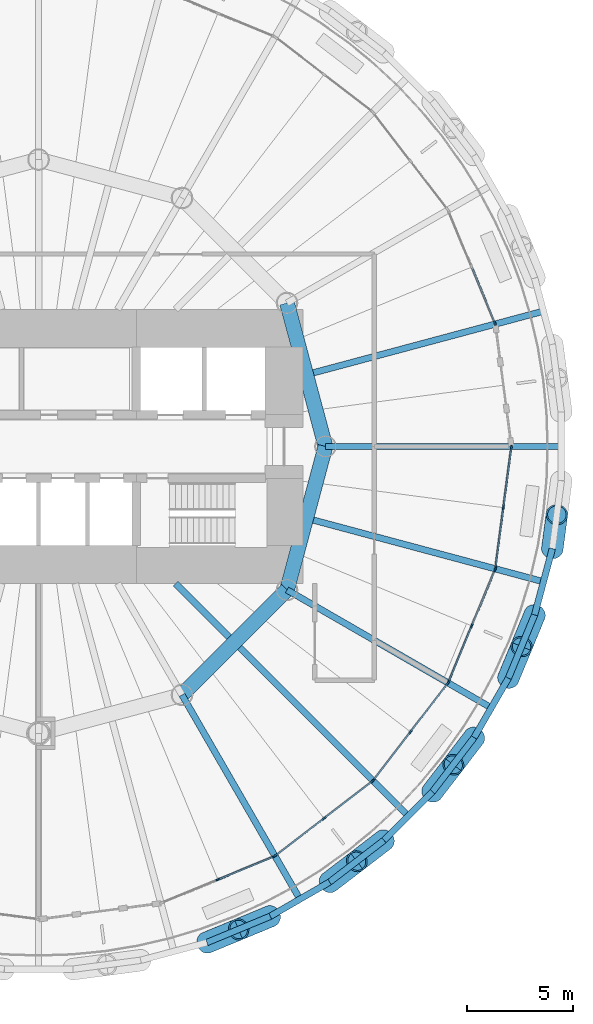
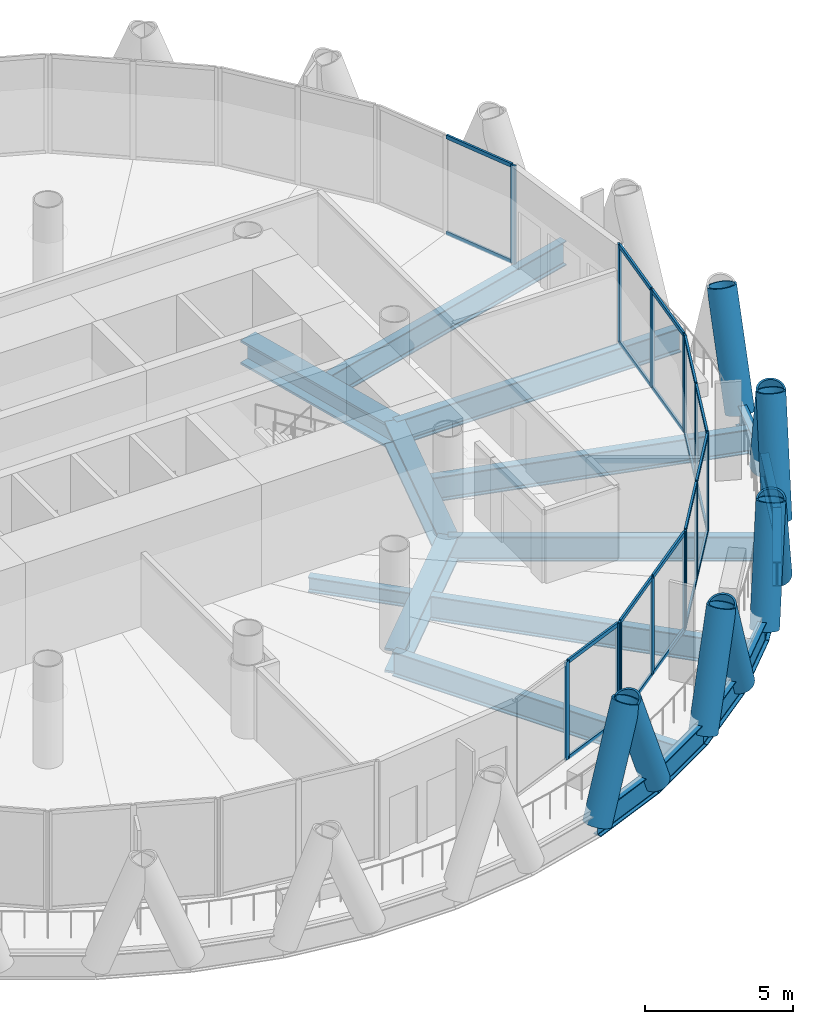
# One storey, part 4 of 15: 44 members, 18 beams, 6 elements without a shape of their own.
"""IFC4 building model written with IfcOpenShell, lengths in metres."""

from ifc_helpers import new_model, si_unit, direction, frame, origin, origin_2d, place, context, subcontext, project, spatial, rectangle, hollow_circle, i_section, extrude, material, material_profile, profile_set, type_object, element, aggregate, save


model = new_model("IFC4")

# Units and contexts
model_context = context("Model", 3, precision=1e-05, world=origin(), true_north=direction((0.0, 1.0)))
body_context = subcontext(model_context, "Body", "Model", "MODEL_VIEW")
ifc_project = project(units=[si_unit("LENGTHUNIT", "METRE"), si_unit("AREAUNIT", "SQUARE_METRE"), si_unit("VOLUMEUNIT", "CUBIC_METRE"), si_unit("PLANEANGLEUNIT", "RADIAN"), si_unit("MASSUNIT", "GRAM", prefix="KILO")], contexts=[model_context])

# Site, building, storey
site_placement = place(None, origin())
site = spatial("IfcSite", under=ifc_project, at=site_placement, CompositionType="ELEMENT")
building_placement = place(site_placement, origin())
building = spatial("IfcBuilding", under=site, at=building_placement, Name="Qaws Media Tower", CompositionType="ELEMENT")
storey_placement = place(building_placement, frame((0.0, 0.0, 164.60009765625)))
storey = spatial("IfcBuildingStorey", under=building, at=storey_placement, Name="L37", CompositionType="ELEMENT", Elevation=164.60009765625)

# Curtain wall, member
ifc_material_1 = material(Name="Aluminium and clear glass", Category="aluminium")
curtain_wall_type = type_object("IfcCurtainWallType", Name="Unitised curtain wall CW-B", PredefinedType="NOTDEFINED", material=ifc_material_1)
curtain_wall_1_placement = place(storey_placement, origin())
curtain_wall_1 = element("IfcCurtainWall", 1, at=curtain_wall_1_placement, inside=storey, type_object=curtain_wall_type, Name="CWB curtain wall L37-02", PredefinedType="NOTDEFINED")
ifc_material_2 = material(Name="Aluminium mullion", Category="aluminium")
ifc_material_profile_1 = material_profile(ifc_material_2, rectangle(XDim=0.080078125, YDim=0.199951171875, at=origin_2d()), Name="80x200")
ifc_profile_set_1 = profile_set([ifc_material_profile_1], Name="Aluminium mullion")
member_type_1 = type_object("IfcMemberType", Name="Curtain wall mullion 80x200", PredefinedType="MULLION", material=ifc_profile_set_1)
member_1_placement = place(storey_placement, frame((81.4765625, 55.795654296875, 0.0), z_axis=(0.0, 0.0, 1.0), x_axis=(-0.923879489819, -0.382683535434, 0.0)))
member_1 = element("IfcMember", 2, at=member_1_placement, type_object=member_type_1, Name="CWB mullion 1", PredefinedType="MULLION", context=body_context, shape_type="SweptSolid", body=[
    extrude(rectangle(XDim=0.080078125, YDim=0.199951171875, at=origin_2d()), origin(), (0.0, 0.0, 1.0), 4.039794921875),
])

# Curtain wall, members
curtain_wall_2_placement = place(storey_placement, origin())
curtain_wall_2 = element("IfcCurtainWall", 3, at=curtain_wall_2_placement, inside=storey, type_object=curtain_wall_type, Name="CWB curtain wall L37-20", PredefinedType="NOTDEFINED")
member_2_placement = place(storey_placement, frame((68.44189453125, 29.61962890625, 0.0), z_axis=(0.0, 0.0, 1.0), x_axis=(-0.382683535434, 0.923879489819, 0.0)))
member_2 = element("IfcMember", 4, at=member_2_placement, type_object=member_type_1, Name="CWB mullion 2", PredefinedType="MULLION", context=body_context, shape_type="SweptSolid", body=[
    extrude(rectangle(XDim=0.080078125, YDim=0.199951171875, at=origin_2d()), origin(), (0.0, 0.0, 1.0), 4.039794921875),
])
member_3_placement = place(storey_placement, frame((71.088134765625, 30.715576171875, 0.0), z_axis=(0.0, 0.0, 1.0), x_axis=(-0.382683535434, 0.923879489819, 0.0)))
member_3 = element("IfcMember", 5, at=member_3_placement, type_object=member_type_1, Name="CWB mullion 3", PredefinedType="MULLION", context=body_context, shape_type="SweptSolid", body=[
    extrude(rectangle(XDim=0.080078125, YDim=0.199951171875, at=origin_2d()), origin(), (0.0, 0.0, 1.0), 4.039794921875),
])

curtain_wall_3_placement = place(storey_placement, origin())
curtain_wall_3 = element("IfcCurtainWall", 6, at=curtain_wall_3_placement, inside=storey, type_object=curtain_wall_type, Name="CWB curtain wall L37-21", PredefinedType="NOTDEFINED")
member_4_placement = place(storey_placement, frame((71.15673828125, 30.75537109375, 0.0), z_axis=(0.0, 0.0, 1.0), x_axis=(-0.608761380919, 0.793353377191, 0.0)))
member_4 = element("IfcMember", 7, at=member_4_placement, type_object=member_type_1, Name="CWB mullion 1", PredefinedType="MULLION", context=body_context, shape_type="SweptSolid", body=[
    extrude(rectangle(XDim=0.080078125, YDim=0.199951171875, at=origin_2d()), origin(), (0.0, 0.0, 1.0), 4.039794921875),
])
member_5_placement = place(storey_placement, frame((73.428955078125, 32.4990234375, 0.0), z_axis=(0.0, 0.0, 1.0), x_axis=(-0.608761380919, 0.793353377191, 0.0)))
member_5 = element("IfcMember", 8, at=member_5_placement, type_object=member_type_1, Name="CWB mullion 2", PredefinedType="MULLION", context=body_context, shape_type="SweptSolid", body=[
    extrude(rectangle(XDim=0.080078125, YDim=0.199951171875, at=origin_2d()), origin(), (0.0, 0.0, 1.0), 4.039794921875),
])
member_6_placement = place(storey_placement, frame((75.701416015625, 34.242431640625, 0.0), z_axis=(0.0, 0.0, 1.0), x_axis=(-0.608761380919, 0.793353377191, 0.0)))
member_6 = element("IfcMember", 9, at=member_6_placement, type_object=member_type_1, Name="CWB mullion 3", PredefinedType="MULLION", context=body_context, shape_type="SweptSolid", body=[
    extrude(rectangle(XDim=0.080078125, YDim=0.199951171875, at=origin_2d()), origin(), (0.0, 0.0, 1.0), 4.039794921875),
])

curtain_wall_4_placement = place(storey_placement, origin())
curtain_wall_4 = element("IfcCurtainWall", 10, at=curtain_wall_4_placement, inside=storey, type_object=curtain_wall_type, Name="CWB curtain wall L37-22", PredefinedType="NOTDEFINED")
member_7_placement = place(storey_placement, frame((75.757568359375, 34.298583984375, 0.0), z_axis=(0.0, 0.0, 1.0), x_axis=(-0.793353377191, 0.608761380919, 0.0)))
member_7 = element("IfcMember", 11, at=member_7_placement, type_object=member_type_1, Name="CWB mullion 1", PredefinedType="MULLION", context=body_context, shape_type="SweptSolid", body=[
    extrude(rectangle(XDim=0.080078125, YDim=0.199951171875, at=origin_2d()), origin(), (0.0, 0.0, 1.0), 4.039794921875),
])
member_8_placement = place(storey_placement, frame((77.5009765625, 36.571044921875, 0.0), z_axis=(0.0, 0.0, 1.0), x_axis=(-0.793353377191, 0.608761380919, 0.0)))
member_8 = element("IfcMember", 12, at=member_8_placement, type_object=member_type_1, Name="CWB mullion 2", PredefinedType="MULLION", context=body_context, shape_type="SweptSolid", body=[
    extrude(rectangle(XDim=0.080078125, YDim=0.199951171875, at=origin_2d()), origin(), (0.0, 0.0, 1.0), 4.039794921875),
])
member_9_placement = place(storey_placement, frame((79.24462890625, 38.84326171875, 0.0), z_axis=(0.0, 0.0, 1.0), x_axis=(-0.793353377191, 0.608761380919, 0.0)))
member_9 = element("IfcMember", 13, at=member_9_placement, type_object=member_type_1, Name="CWB mullion 3", PredefinedType="MULLION", context=body_context, shape_type="SweptSolid", body=[
    extrude(rectangle(XDim=0.080078125, YDim=0.199951171875, at=origin_2d()), origin(), (0.0, 0.0, 1.0), 4.039794921875),
])

curtain_wall_5_placement = place(storey_placement, origin())
curtain_wall_5 = element("IfcCurtainWall", 14, at=curtain_wall_5_placement, inside=storey, type_object=curtain_wall_type, Name="CWB curtain wall L37-23", PredefinedType="NOTDEFINED")
member_10_placement = place(storey_placement, frame((79.284423828125, 38.911865234375, 0.0), z_axis=(0.0, 0.0, 1.0), x_axis=(-0.923879489819, 0.382683535434, 0.0)))
member_10 = element("IfcMember", 15, at=member_10_placement, type_object=member_type_1, Name="CWB mullion 1", PredefinedType="MULLION", context=body_context, shape_type="SweptSolid", body=[
    extrude(rectangle(XDim=0.080078125, YDim=0.199951171875, at=origin_2d()), origin(), (0.0, 0.0, 1.0), 4.039794921875),
])
member_11_placement = place(storey_placement, frame((80.38037109375, 41.55810546875, 0.0), z_axis=(0.0, 0.0, 1.0), x_axis=(-0.923879489819, 0.382683535434, 0.0)))
member_11 = element("IfcMember", 16, at=member_11_placement, type_object=member_type_1, Name="CWB mullion 2", PredefinedType="MULLION", context=body_context, shape_type="SweptSolid", body=[
    extrude(rectangle(XDim=0.080078125, YDim=0.199951171875, at=origin_2d()), origin(), (0.0, 0.0, 1.0), 4.039794921875),
])
member_12_placement = place(storey_placement, frame((81.4765625, 44.204345703125, 0.0), z_axis=(0.0, 0.0, 1.0), x_axis=(-0.923879489819, 0.382683535434, 0.0)))
member_12 = element("IfcMember", 17, at=member_12_placement, type_object=member_type_1, Name="CWB mullion 3", PredefinedType="MULLION", context=body_context, shape_type="SweptSolid", body=[
    extrude(rectangle(XDim=0.080078125, YDim=0.199951171875, at=origin_2d()), origin(), (0.0, 0.0, 1.0), 4.039794921875),
])

curtain_wall_6_placement = place(storey_placement, origin())
curtain_wall_6 = element("IfcCurtainWall", 18, at=curtain_wall_6_placement, inside=storey, type_object=curtain_wall_type, Name="CWB curtain wall L37-24", PredefinedType="NOTDEFINED")
member_13_placement = place(storey_placement, frame((81.4970703125, 44.281005859375, 0.0), z_axis=(0.0, 0.0, 1.0), x_axis=(-0.991444870231, 0.130526124942, 0.0)))
member_13 = element("IfcMember", 19, at=member_13_placement, type_object=member_type_1, Name="CWB mullion 1", PredefinedType="MULLION", context=body_context, shape_type="SweptSolid", body=[
    extrude(rectangle(XDim=0.080078125, YDim=0.199951171875, at=origin_2d()), origin(), (0.0, 0.0, 1.0), 4.039794921875),
])
member_14_placement = place(storey_placement, frame((81.870849609375, 47.12060546875, 0.0), z_axis=(0.0, 0.0, 1.0), x_axis=(-0.991444870231, 0.130526124942, 0.0)))
member_14 = element("IfcMember", 20, at=member_14_placement, type_object=member_type_1, Name="CWB mullion 2", PredefinedType="MULLION", context=body_context, shape_type="SweptSolid", body=[
    extrude(rectangle(XDim=0.080078125, YDim=0.199951171875, at=origin_2d()), origin(), (0.0, 0.0, 1.0), 4.039794921875),
])
member_15_placement = place(storey_placement, frame((82.244873046875, 49.96044921875, 0.0), z_axis=(0.0, 0.0, 1.0), x_axis=(-0.991444870231, 0.130526124942, 0.0)))
member_15 = element("IfcMember", 21, at=member_15_placement, type_object=member_type_1, Name="CWB mullion 3", PredefinedType="MULLION", context=body_context, shape_type="SweptSolid", body=[
    extrude(rectangle(XDim=0.080078125, YDim=0.199951171875, at=origin_2d()), origin(), (0.0, 0.0, 1.0), 4.039794921875),
])

# Member
ifc_material_3 = material(Name="Aluminium transom", Category="aluminium")
ifc_material_profile_2 = material_profile(ifc_material_3, rectangle(XDim=0.080078125, YDim=0.159912109375, at=origin_2d()), Name="80x160")
ifc_profile_set_2 = profile_set([ifc_material_profile_2], Name="Aluminium transom")
member_type_2 = type_object("IfcMemberType", Name="Curtain wall transom 80x160", PredefinedType="USERDEFINED", material=ifc_profile_set_2)
member_16_placement = place(storey_placement, frame((81.461181640625, 55.83251953125, 0.039794921875), z_axis=(-0.382671898974, 0.923884309714, 0.0), x_axis=(-0.923884309714, -0.382671898974, 0.0)))
member_16 = element("IfcMember", 22, at=member_16_placement, type_object=member_type_2, Name="CWB transom 1.1", ObjectType="TRANSOM", PredefinedType="USERDEFINED", context=body_context, shape_type="SweptSolid", body=[
    extrude(rectangle(XDim=0.080078125, YDim=0.159912109375, at=origin_2d()), origin(), (0.0, 0.0, 1.0), 2.7841796875),
])

member_17_placement = place(storey_placement, frame((81.461181640625, 55.83251953125, 4.0), z_axis=(-0.382671898974, 0.923884309714, 0.0), x_axis=(-0.923884309714, -0.382671898974, 0.0)))
member_17 = element("IfcMember", 23, at=member_17_placement, type_object=member_type_2, Name="CWB transom 1.2", ObjectType="TRANSOM", PredefinedType="USERDEFINED", context=body_context, shape_type="SweptSolid", body=[
    extrude(rectangle(XDim=0.080078125, YDim=0.159912109375, at=origin_2d()), origin(), (0.0, 0.0, 1.0), 2.7841796875),
])

aggregate(curtain_wall_1, [member_1, member_16, member_17])

member_18_placement = place(storey_placement, frame((68.478759765625, 29.634765625, 0.039794921875), z_axis=(0.923853305988, 0.382746742657, 0.0), x_axis=(-0.382746742657, 0.923853305988, 0.0)))
member_18 = element("IfcMember", 24, at=member_18_placement, type_object=member_type_2, Name="CWB transom 2.1", ObjectType="TRANSOM", PredefinedType="USERDEFINED", context=body_context, shape_type="SweptSolid", body=[
    extrude(rectangle(XDim=0.080078125, YDim=0.159912109375, at=origin_2d()), origin(), (0.0, 0.0, 1.0), 2.7841796875),
])

member_19_placement = place(storey_placement, frame((68.478759765625, 29.634765625, 4.0), z_axis=(0.923853305988, 0.382746742657, 0.0), x_axis=(-0.382746742657, 0.923853305988, 0.0)))
member_19 = element("IfcMember", 25, at=member_19_placement, type_object=member_type_2, Name="CWB transom 2.2", ObjectType="TRANSOM", PredefinedType="USERDEFINED", context=body_context, shape_type="SweptSolid", body=[
    extrude(rectangle(XDim=0.080078125, YDim=0.159912109375, at=origin_2d()), origin(), (0.0, 0.0, 1.0), 2.7841796875),
])

aggregate(curtain_wall_2, [member_2, member_3, member_18, member_19])

member_20_placement = place(storey_placement, frame((71.1884765625, 30.779541015625, 0.039794921875), z_axis=(0.793311295927, 0.608816218373, 0.0), x_axis=(-0.608816218373, 0.793311295927, 0.0)))
member_20 = element("IfcMember", 26, at=member_20_placement, type_object=member_type_2, Name="CWB transom 1.1", ObjectType="TRANSOM", PredefinedType="USERDEFINED", context=body_context, shape_type="SweptSolid", body=[
    extrude(rectangle(XDim=0.080078125, YDim=0.159912109375, at=origin_2d()), origin(), (0.0, 0.0, 1.0), 2.7841796875),
])

member_21_placement = place(storey_placement, frame((71.1884765625, 30.779541015625, 4.0), z_axis=(0.793311295927, 0.608816218373, 0.0), x_axis=(-0.608816218373, 0.793311295927, 0.0)))
member_21 = element("IfcMember", 27, at=member_21_placement, type_object=member_type_2, Name="CWB transom 1.2", ObjectType="TRANSOM", PredefinedType="USERDEFINED", context=body_context, shape_type="SweptSolid", body=[
    extrude(rectangle(XDim=0.080078125, YDim=0.159912109375, at=origin_2d()), origin(), (0.0, 0.0, 1.0), 2.7841796875),
])

member_22_placement = place(storey_placement, frame((73.460693359375, 32.523193359375, 0.039794921875), z_axis=(0.79334379464, 0.608773868942, 0.0), x_axis=(-0.608773868942, 0.79334379464, 0.0)))
member_22 = element("IfcMember", 28, at=member_22_placement, type_object=member_type_2, Name="CWB transom 2.1", ObjectType="TRANSOM", PredefinedType="USERDEFINED", context=body_context, shape_type="SweptSolid", body=[
    extrude(rectangle(XDim=0.080078125, YDim=0.159912109375, at=origin_2d()), origin(), (0.0, 0.0, 1.0), 2.784423828125),
])

member_23_placement = place(storey_placement, frame((73.460693359375, 32.523193359375, 4.0), z_axis=(0.79334379464, 0.608773868942, 0.0), x_axis=(-0.608773868942, 0.79334379464, 0.0)))
member_23 = element("IfcMember", 29, at=member_23_placement, type_object=member_type_2, Name="CWB transom 2.2", ObjectType="TRANSOM", PredefinedType="USERDEFINED", context=body_context, shape_type="SweptSolid", body=[
    extrude(rectangle(XDim=0.080078125, YDim=0.159912109375, at=origin_2d()), origin(), (0.0, 0.0, 1.0), 2.784423828125),
])

aggregate(curtain_wall_3, [member_4, member_5, member_6, member_20, member_21, member_22, member_23])

member_24_placement = place(storey_placement, frame((75.78173828125, 34.330322265625, 0.039794921875), z_axis=(0.608773868942, 0.79334379464, 0.0), x_axis=(-0.79334379464, 0.608773868942, 0.0)))
member_24 = element("IfcMember", 30, at=member_24_placement, type_object=member_type_2, Name="CWB transom 1.1", ObjectType="TRANSOM", PredefinedType="USERDEFINED", context=body_context, shape_type="SweptSolid", body=[
    extrude(rectangle(XDim=0.080078125, YDim=0.159912109375, at=origin_2d()), origin(), (0.0, 0.0, 1.0), 2.784423828125),
])

member_25_placement = place(storey_placement, frame((75.78173828125, 34.330322265625, 4.0), z_axis=(0.608773868942, 0.79334379464, 0.0), x_axis=(-0.79334379464, 0.608773868942, 0.0)))
member_25 = element("IfcMember", 31, at=member_25_placement, type_object=member_type_2, Name="CWB transom 1.2", ObjectType="TRANSOM", PredefinedType="USERDEFINED", context=body_context, shape_type="SweptSolid", body=[
    extrude(rectangle(XDim=0.080078125, YDim=0.159912109375, at=origin_2d()), origin(), (0.0, 0.0, 1.0), 2.784423828125),
])

member_26_placement = place(storey_placement, frame((77.525390625, 36.602783203125, 0.039794921875), z_axis=(0.608816218373, 0.793311295927, 0.0), x_axis=(-0.793311295927, 0.608816218373, 0.0)))
member_26 = element("IfcMember", 32, at=member_26_placement, type_object=member_type_2, Name="CWB transom 2.1", ObjectType="TRANSOM", PredefinedType="USERDEFINED", context=body_context, shape_type="SweptSolid", body=[
    extrude(rectangle(XDim=0.080078125, YDim=0.159912109375, at=origin_2d()), origin(), (0.0, 0.0, 1.0), 2.7841796875),
])

member_27_placement = place(storey_placement, frame((77.525390625, 36.602783203125, 4.0), z_axis=(0.608816218373, 0.793311295927, 0.0), x_axis=(-0.793311295927, 0.608816218373, 0.0)))
member_27 = element("IfcMember", 33, at=member_27_placement, type_object=member_type_2, Name="CWB transom 2.2", ObjectType="TRANSOM", PredefinedType="USERDEFINED", context=body_context, shape_type="SweptSolid", body=[
    extrude(rectangle(XDim=0.080078125, YDim=0.159912109375, at=origin_2d()), origin(), (0.0, 0.0, 1.0), 2.7841796875),
])

aggregate(curtain_wall_4, [member_7, member_8, member_9, member_24, member_25, member_26, member_27])

member_28_placement = place(storey_placement, frame((79.299560546875, 38.948974609375, 0.039794921875), z_axis=(0.382746742657, 0.923853305988, 0.0), x_axis=(-0.923853305988, 0.382746742657, 0.0)))
member_28 = element("IfcMember", 34, at=member_28_placement, type_object=member_type_2, Name="CWB transom 1.1", ObjectType="TRANSOM", PredefinedType="USERDEFINED", context=body_context, shape_type="SweptSolid", body=[
    extrude(rectangle(XDim=0.080078125, YDim=0.159912109375, at=origin_2d()), origin(), (0.0, 0.0, 1.0), 2.7841796875),
])

member_29_placement = place(storey_placement, frame((79.299560546875, 38.948974609375, 4.0), z_axis=(0.382746742657, 0.923853305988, 0.0), x_axis=(-0.923853305988, 0.382746742657, 0.0)))
member_29 = element("IfcMember", 35, at=member_29_placement, type_object=member_type_2, Name="CWB transom 1.2", ObjectType="TRANSOM", PredefinedType="USERDEFINED", context=body_context, shape_type="SweptSolid", body=[
    extrude(rectangle(XDim=0.080078125, YDim=0.159912109375, at=origin_2d()), origin(), (0.0, 0.0, 1.0), 2.7841796875),
])

member_30_placement = place(storey_placement, frame((80.395751953125, 41.59521484375, 0.039794921875), z_axis=(0.382671898974, 0.923884309714, 0.0), x_axis=(-0.923884309714, 0.382671898974, 0.0)))
member_30 = element("IfcMember", 36, at=member_30_placement, type_object=member_type_2, Name="CWB transom 2.1", ObjectType="TRANSOM", PredefinedType="USERDEFINED", context=body_context, shape_type="SweptSolid", body=[
    extrude(rectangle(XDim=0.080078125, YDim=0.159912109375, at=origin_2d()), origin(), (0.0, 0.0, 1.0), 2.7841796875),
])

member_31_placement = place(storey_placement, frame((80.395751953125, 41.59521484375, 4.0), z_axis=(0.382671898974, 0.923884309714, 0.0), x_axis=(-0.923884309714, 0.382671898974, 0.0)))
member_31 = element("IfcMember", 37, at=member_31_placement, type_object=member_type_2, Name="CWB transom 2.2", ObjectType="TRANSOM", PredefinedType="USERDEFINED", context=body_context, shape_type="SweptSolid", body=[
    extrude(rectangle(XDim=0.080078125, YDim=0.159912109375, at=origin_2d()), origin(), (0.0, 0.0, 1.0), 2.7841796875),
])

aggregate(curtain_wall_5, [member_10, member_11, member_12, member_28, member_29, member_30, member_31])

member_32_placement = place(storey_placement, frame((81.502197265625, 44.320556640625, 0.039794921875), z_axis=(0.130561117123, 0.991440262797, 0.0), x_axis=(-0.991440262797, 0.130561117123, 0.0)))
member_32 = element("IfcMember", 38, at=member_32_placement, type_object=member_type_2, Name="CWB transom 1.1", ObjectType="TRANSOM", PredefinedType="USERDEFINED", context=body_context, shape_type="SweptSolid", body=[
    extrude(rectangle(XDim=0.080078125, YDim=0.159912109375, at=origin_2d()), origin(), (0.0, 0.0, 1.0), 2.784423828125),
])

member_33_placement = place(storey_placement, frame((81.502197265625, 44.320556640625, 4.0), z_axis=(0.130561117123, 0.991440262797, 0.0), x_axis=(-0.991440262797, 0.130561117123, 0.0)))
member_33 = element("IfcMember", 39, at=member_33_placement, type_object=member_type_2, Name="CWB transom 1.2", ObjectType="TRANSOM", PredefinedType="USERDEFINED", context=body_context, shape_type="SweptSolid", body=[
    extrude(rectangle(XDim=0.080078125, YDim=0.159912109375, at=origin_2d()), origin(), (0.0, 0.0, 1.0), 2.784423828125),
])

member_34_placement = place(storey_placement, frame((81.876220703125, 47.160400390625, 0.039794921875), z_axis=(0.130486270401, 0.991450116363, 0.0), x_axis=(-0.991450116363, 0.130486270401, 0.0)))
member_34 = element("IfcMember", 40, at=member_34_placement, type_object=member_type_2, Name="CWB transom 2.1", ObjectType="TRANSOM", PredefinedType="USERDEFINED", context=body_context, shape_type="SweptSolid", body=[
    extrude(rectangle(XDim=0.080078125, YDim=0.159912109375, at=origin_2d()), origin(), (0.0, 0.0, 1.0), 2.783935546875),
])

member_35_placement = place(storey_placement, frame((81.876220703125, 47.160400390625, 4.0), z_axis=(0.130486270401, 0.991450116363, 0.0), x_axis=(-0.991450116363, 0.130486270401, 0.0)))
member_35 = element("IfcMember", 41, at=member_35_placement, type_object=member_type_2, Name="CWB transom 2.2", ObjectType="TRANSOM", PredefinedType="USERDEFINED", context=body_context, shape_type="SweptSolid", body=[
    extrude(rectangle(XDim=0.080078125, YDim=0.159912109375, at=origin_2d()), origin(), (0.0, 0.0, 1.0), 2.783935546875),
])

aggregate(curtain_wall_6, [member_13, member_14, member_15, member_32, member_33, member_34, member_35])

# Members
ifc_material_4 = material(Name="Steel S460", Category="steel")
ifc_material_profile_3 = material_profile(ifc_material_4, hollow_circle(Radius=0.508056640625, WallThickness=0.070068359375, at=origin_2d()), Name="CHS 1016x70")
ifc_profile_set_3 = profile_set([ifc_material_profile_3], Name="Steel S460")
member_type_3 = type_object("IfcMemberType", Name="Diagrid member CHS 1016x70", PredefinedType="USERDEFINED", material=ifc_profile_set_3)
for number, where, z_axis, x_axis, name in (
    (42, (67.923583984375, 26.658203125, -0.6640625), (0.3313121209, 0.136540752856, 0.933589257304), (-0.381031615688, 0.924562008654, 0.0), "DG3 diagrid L37 A20"),
    (43, (73.69482421875, 29.50439453125, -0.6640625), (0.28469534615, 0.21761882159, 0.933590171526), (-0.607292699113, 0.794478179438, 0.0), "DG3 diagrid L37 A21"),
    (44, (70.90234375, 27.89208984375, -0.6640625), (-0.330823028294, -0.137734390717, 0.933587361506), (0.38435729259, -0.923184419081, 0.0), "DG3 diagrid L37 B21"),
    (45, (78.532958984375, 33.7470703125, -0.6640625), (0.218647985607, 0.283933050557, 0.933581855646), (-0.792302996756, 0.610127823764, 0.0), "DG3 diagrid L37 A22"),
    (46, (76.2529296875, 31.467041015625, -0.6640625), (-0.283933050557, -0.218647985607, 0.933581855646), (0.610127823764, -0.792302996756, 0.0), "DG3 diagrid L37 B22"),
    (47, (82.10791015625, 39.09765625, -0.6640625), (0.137734390717, 0.330823028294, 0.933587361506), (-0.923184419081, 0.38435729259, 0.0), "DG3 diagrid L37 A23"),
    (48, (80.49560546875, 36.30517578125, -0.6640625), (-0.21761882159, -0.28469534615, 0.933590171526), (0.794478179438, -0.607292699113, 0.0), "DG3 diagrid L37 B23"),
    (49, (84.17626953125, 45.19091796875, -0.6640625), (0.047430200457, 0.355238091749, 0.933571783129), (-0.991204080377, 0.132342249656, 0.0), "DG3 diagrid L37 A24"),
    (50, (83.341796875, 42.076416015625, -0.6640625), (-0.136540752856, -0.3313121209, 0.933589257304), (0.924562008654, -0.381031615688, 0.0), "DG3 diagrid L37 B24"),
):
    element("IfcMember", number, at=place(storey_placement, frame(where, z_axis=z_axis, x_axis=x_axis)), inside=storey, type_object=member_type_3, Name=name, ObjectType="DIAGRID", PredefinedType="USERDEFINED", context=body_context, shape_type="SweptSolid", body=[
        extrude(hollow_circle(Radius=0.508056640625, WallThickness=0.070068359375, at=origin_2d()), origin(), (0.0, 0.0, 1.0), 4.498779296875),
    ])

# Beams
ifc_material_5 = material(Name="Steel S460", Category="steel")
ifc_material_profile_4 = material_profile(ifc_material_5, i_section(OverallWidth=0.302001953125, OverallDepth=1.008056640625, WebThickness=0.02099609375, FlangeThickness=0.0400390625, FilletRadius=0.030029296875, at=origin_2d()), Name="HE 1000 M")
ifc_profile_set_4 = profile_set([ifc_material_profile_4], Name="Steel S460")
beam_type_1 = type_object("IfcBeamType", Name="Edge ring beam HE 1000 M", PredefinedType="BEAM", material=ifc_profile_set_4)
beam_1_placement = place(storey_placement, frame((67.923583984375, 26.658203125, -0.6640625), z_axis=(0.923874704855, 0.382695087151, 0.0), x_axis=(-0.382695087151, 0.923874704855, 0.0)))
element("IfcBeam", 51, at=beam_1_placement, inside=storey, type_object=beam_type_1, Name="RB3 edge ring beam L37-39", PredefinedType="BEAM", context=body_context, shape_type="SweptSolid", body=[
    extrude(i_section(OverallWidth=0.302001953125, OverallDepth=1.008056640625, WebThickness=0.02099609375, FlangeThickness=0.0400390625, FilletRadius=0.030029296875, at=origin_2d()), origin(), (0.0, 0.0, 1.0), 3.22412109375),
])
beam_2_placement = place(storey_placement, frame((70.90234375, 27.89208984375, -0.6640625), z_axis=(0.866016629664, 0.500015196914, 0.0), x_axis=(-0.500015196914, 0.866016629664, 0.0)))
element("IfcBeam", 52, at=beam_2_placement, inside=storey, type_object=beam_type_1, Name="RB3 edge ring beam L37-40", PredefinedType="BEAM", context=body_context, shape_type="SweptSolid", body=[
    extrude(i_section(OverallWidth=0.302001953125, OverallDepth=1.008056640625, WebThickness=0.02099609375, FlangeThickness=0.0400390625, FilletRadius=0.030029296875, at=origin_2d()), origin(), (0.0, 0.0, 1.0), 3.224609375),
])
for number, where, z_axis, x_axis, name in (
    (53, (73.69482421875, 29.50439453125, -0.6640625), (0.793391816766, 0.608711282209, 0.0), (-0.608711282209, 0.793391816766, 0.0), "RB3 edge ring beam L37-41"),
    (54, (76.2529296875, 31.467041015625, -0.6640625), (0.707106781187, 0.707106781187, 0.0), (-0.707106781187, 0.707106781187, 0.0), "RB3 edge ring beam L37-42"),
    (55, (78.532958984375, 33.7470703125, -0.6640625), (0.608711282209, 0.793391816766, 0.0), (-0.793391816766, 0.608711282209, 0.0), "RB3 edge ring beam L37-43"),
):
    element("IfcBeam", number, at=place(storey_placement, frame(where, z_axis=z_axis, x_axis=x_axis)), inside=storey, type_object=beam_type_1, Name=name, PredefinedType="BEAM", context=body_context, shape_type="SweptSolid", body=[
        extrude(i_section(OverallWidth=0.302001953125, OverallDepth=1.008056640625, WebThickness=0.02099609375, FlangeThickness=0.0400390625, FilletRadius=0.030029296875, at=origin_2d()), origin(), (0.0, 0.0, 1.0), 3.224365234375),
    ])
beam_3_placement = place(storey_placement, frame((80.49560546875, 36.30517578125, -0.6640625), z_axis=(0.500015196914, 0.866016629664, 0.0), x_axis=(-0.866016629664, 0.500015196914, 0.0)))
element("IfcBeam", 56, at=beam_3_placement, inside=storey, type_object=beam_type_1, Name="RB3 edge ring beam L37-44", PredefinedType="BEAM", context=body_context, shape_type="SweptSolid", body=[
    extrude(i_section(OverallWidth=0.302001953125, OverallDepth=1.008056640625, WebThickness=0.02099609375, FlangeThickness=0.0400390625, FilletRadius=0.030029296875, at=origin_2d()), origin(), (0.0, 0.0, 1.0), 3.224609375),
])
beam_4_placement = place(storey_placement, frame((82.10791015625, 39.09765625, -0.6640625), z_axis=(0.382695087151, 0.923874704855, 0.0), x_axis=(-0.923874704855, 0.382695087151, 0.0)))
element("IfcBeam", 57, at=beam_4_placement, inside=storey, type_object=beam_type_1, Name="RB3 edge ring beam L37-45", PredefinedType="BEAM", context=body_context, shape_type="SweptSolid", body=[
    extrude(i_section(OverallWidth=0.302001953125, OverallDepth=1.008056640625, WebThickness=0.02099609375, FlangeThickness=0.0400390625, FilletRadius=0.030029296875, at=origin_2d()), origin(), (0.0, 0.0, 1.0), 3.22412109375),
])
beam_5_placement = place(storey_placement, frame((83.341796875, 42.076416015625, -0.6640625), z_axis=(0.258802948634, 0.965930139181, 0.0), x_axis=(-0.965930139181, 0.258802948634, 0.0)))
element("IfcBeam", 58, at=beam_5_placement, inside=storey, type_object=beam_type_1, Name="RB3 edge ring beam L37-46", PredefinedType="BEAM", context=body_context, shape_type="SweptSolid", body=[
    extrude(i_section(OverallWidth=0.302001953125, OverallDepth=1.008056640625, WebThickness=0.02099609375, FlangeThickness=0.0400390625, FilletRadius=0.030029296875, at=origin_2d()), origin(), (0.0, 0.0, 1.0), 3.224365234375),
])
ifc_material_6 = material(Name="Steel S460", Category="steel")
ifc_material_profile_5 = material_profile(ifc_material_6, i_section(OverallWidth=0.699951171875, OverallDepth=1.0, WebThickness=0.034912109375, FlangeThickness=0.090087890625, at=origin_2d()), Name="PG 1000x700")
ifc_profile_set_5 = profile_set([ifc_material_profile_5], Name="Steel S460")
beam_type_2 = type_object("IfcBeamType", Name="Inner ring girder PG 1000x700", PredefinedType="BEAM", material=ifc_profile_set_5)
beam_6_placement = place(storey_placement, frame((73.5, 50.0, -0.66015625), z_axis=(-0.258810593767, 0.965928090778, 0.0), x_axis=(-0.965928090778, -0.258810593767, 0.0)))
element("IfcBeam", 59, at=beam_6_placement, inside=storey, type_object=beam_type_2, Name="B3 inner ring beam L37 I01-I02", PredefinedType="BEAM", context=body_context, shape_type="SweptSolid", body=[
    extrude(i_section(OverallWidth=0.699951171875, OverallDepth=1.0, WebThickness=0.034912109375, FlangeThickness=0.090087890625, at=origin_2d()), origin(), (0.0, 0.0, 1.0), 6.988037109375),
])
beam_7_placement = place(storey_placement, frame((66.75, 38.30859375, -0.66015625), z_axis=(0.707106781187, 0.707106781187, 0.0), x_axis=(-0.707106781187, 0.707106781187, 0.0)))
element("IfcBeam", 60, at=beam_7_placement, inside=storey, type_object=beam_type_2, Name="B3 inner ring beam L37 I11-I12", PredefinedType="BEAM", context=body_context, shape_type="SweptSolid", body=[
    extrude(i_section(OverallWidth=0.699951171875, OverallDepth=1.0, WebThickness=0.034912109375, FlangeThickness=0.090087890625, at=origin_2d()), origin(), (0.0, 0.0, 1.0), 6.98828125),
])
beam_8_placement = place(storey_placement, frame((71.69140625, 43.25, -0.66015625), z_axis=(0.258810593767, 0.965928090778, 0.0), x_axis=(-0.965928090778, 0.258810593767, 0.0)))
element("IfcBeam", 61, at=beam_8_placement, inside=storey, type_object=beam_type_2, Name="B3 inner ring beam L37 I12-I01", PredefinedType="BEAM", context=body_context, shape_type="SweptSolid", body=[
    extrude(i_section(OverallWidth=0.699951171875, OverallDepth=1.0, WebThickness=0.034912109375, FlangeThickness=0.090087890625, at=origin_2d()), origin(), (0.0, 0.0, 1.0), 6.988037109375),
])
ifc_material_7 = material(Name="Steel S355", Category="steel")
ifc_material_profile_6 = material_profile(ifc_material_7, i_section(OverallWidth=0.302001953125, OverallDepth=1.008056640625, WebThickness=0.02099609375, FlangeThickness=0.0400390625, FilletRadius=0.030029296875, at=origin_2d()), Name="HE 1000 M")
ifc_profile_set_6 = profile_set([ifc_material_profile_6], Name="Steel S355")
beam_type_3 = type_object("IfcBeamType", Name="Radial beam HE 1000 M", PredefinedType="BEAM", material=ifc_profile_set_6)
beam_9_placement = place(storey_placement, frame((73.5, 50.0, -0.6640625), z_axis=(1.0, 0.0, 0.0), x_axis=(0.0, 1.0, 0.0)))
element("IfcBeam", 62, at=beam_9_placement, inside=storey, type_object=beam_type_3, Name="B1 radial beam L37 01", PredefinedType="BEAM", context=body_context, shape_type="SweptSolid", body=[
    extrude(i_section(OverallWidth=0.302001953125, OverallDepth=1.008056640625, WebThickness=0.02099609375, FlangeThickness=0.0400390625, FilletRadius=0.030029296875, at=origin_2d()), origin(), (0.0, 0.0, 1.0), 11.09716796875),
])
beam_10_placement = place(storey_placement, frame((72.933837890625, 53.465576171875, -0.6640625), z_axis=(0.965925102998, 0.258821744446, 0.0), x_axis=(-0.258821744446, 0.965925102998, 0.0)))
element("IfcBeam", 63, at=beam_10_placement, inside=storey, type_object=beam_type_3, Name="B1 radial beam L37 02", PredefinedType="BEAM", context=body_context, shape_type="SweptSolid", body=[
    extrude(i_section(OverallWidth=0.302001953125, OverallDepth=1.008056640625, WebThickness=0.02099609375, FlangeThickness=0.0400390625, FilletRadius=0.030029296875, at=origin_2d()), origin(), (0.0, 0.0, 1.0), 11.20703125),
])
beam_11_placement = place(storey_placement, frame((66.75, 38.30859375, -0.6640625), z_axis=(0.500003036112, -0.866023650878, 0.0), x_axis=(0.866023650878, 0.500003036112, 0.0)))
element("IfcBeam", 64, at=beam_11_placement, inside=storey, type_object=beam_type_3, Name="B1 radial beam L37 21", PredefinedType="BEAM", context=body_context, shape_type="SweptSolid", body=[
    extrude(i_section(OverallWidth=0.302001953125, OverallDepth=1.008056640625, WebThickness=0.02099609375, FlangeThickness=0.0400390625, FilletRadius=0.030029296875, at=origin_2d()), origin(), (0.0, 0.0, 1.0), 11.09716796875),
])
beam_12_placement = place(storey_placement, frame((69.46826171875, 40.53173828125, -0.6640625), z_axis=(0.707106781187, -0.707106781187, 0.0), x_axis=(0.707106781187, 0.707106781187, 0.0)))
element("IfcBeam", 65, at=beam_12_placement, inside=storey, type_object=beam_type_3, Name="B1 radial beam L37 22", PredefinedType="BEAM", context=body_context, shape_type="SweptSolid", body=[
    extrude(i_section(OverallWidth=0.302001953125, OverallDepth=1.008056640625, WebThickness=0.02099609375, FlangeThickness=0.0400390625, FilletRadius=0.030029296875, at=origin_2d()), origin(), (0.0, 0.0, 1.0), 11.20703125),
])
beam_13_placement = place(storey_placement, frame((71.69140625, 43.25, -0.6640625), z_axis=(0.866023650878, -0.500003036112, 0.0), x_axis=(0.500003036112, 0.866023650878, 0.0)))
element("IfcBeam", 66, at=beam_13_placement, inside=storey, type_object=beam_type_3, Name="B1 radial beam L37 23", PredefinedType="BEAM", context=body_context, shape_type="SweptSolid", body=[
    extrude(i_section(OverallWidth=0.302001953125, OverallDepth=1.008056640625, WebThickness=0.02099609375, FlangeThickness=0.0400390625, FilletRadius=0.030029296875, at=origin_2d()), origin(), (0.0, 0.0, 1.0), 11.09716796875),
])
beam_14_placement = place(storey_placement, frame((72.933837890625, 46.534423828125, -0.6640625), z_axis=(0.965925102998, -0.258821744446, 0.0), x_axis=(0.258821744446, 0.965925102998, 0.0)))
element("IfcBeam", 67, at=beam_14_placement, inside=storey, type_object=beam_type_3, Name="B1 radial beam L37 24", PredefinedType="BEAM", context=body_context, shape_type="SweptSolid", body=[
    extrude(i_section(OverallWidth=0.302001953125, OverallDepth=1.008056640625, WebThickness=0.02099609375, FlangeThickness=0.0400390625, FilletRadius=0.030029296875, at=origin_2d()), origin(), (0.0, 0.0, 1.0), 11.20703125),
])
ifc_material_8 = material(Name="Steel S355", Category="steel")
ifc_material_profile_7 = material_profile(ifc_material_8, i_section(OverallWidth=0.304931640625, OverallDepth=0.6201171875, WebThickness=0.02099609375, FlangeThickness=0.0400390625, FilletRadius=0.027099609375, at=origin_2d()), Name="HE 600 M")
ifc_profile_set_7 = profile_set([ifc_material_profile_7], Name="Steel S355")
beam_type_4 = type_object("IfcBeamType", Name="Radial beam HE 600 M, core side", PredefinedType="BEAM", material=ifc_profile_set_7)
beam_15_placement = place(storey_placement, frame((66.449951171875, 43.550048828125, -0.47021484375), z_axis=(0.707106781187, -0.707106781187, 0.0), x_axis=(0.707106781187, 0.707106781187, 0.0)))
element("IfcBeam", 68, at=beam_15_placement, inside=storey, type_object=beam_type_4, Name="B2 radial beam L37 22", PredefinedType="BEAM", context=body_context, shape_type="SweptSolid", body=[
    extrude(i_section(OverallWidth=0.304931640625, OverallDepth=0.6201171875, WebThickness=0.02099609375, FlangeThickness=0.0400390625, FilletRadius=0.027099609375, at=origin_2d()), origin(), (0.0, 0.0, 1.0), 3.568359375),
])

save(model, "model.ifc")
